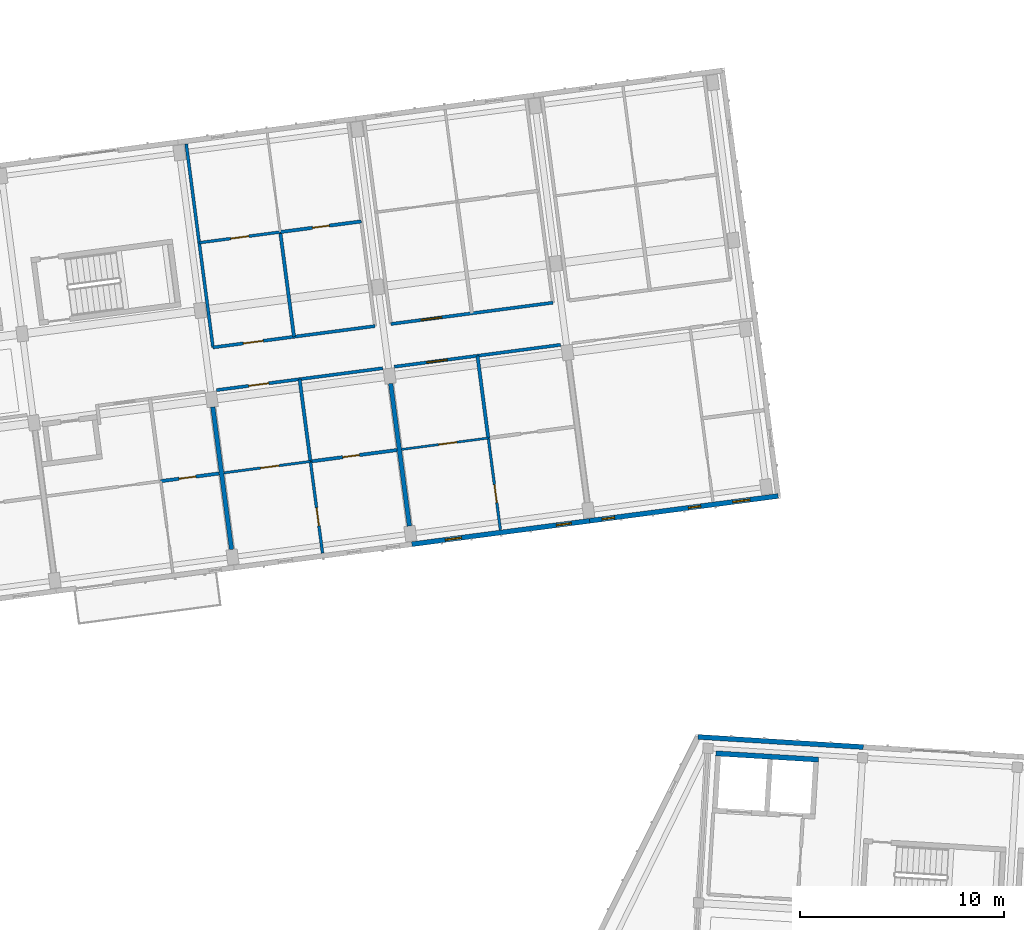
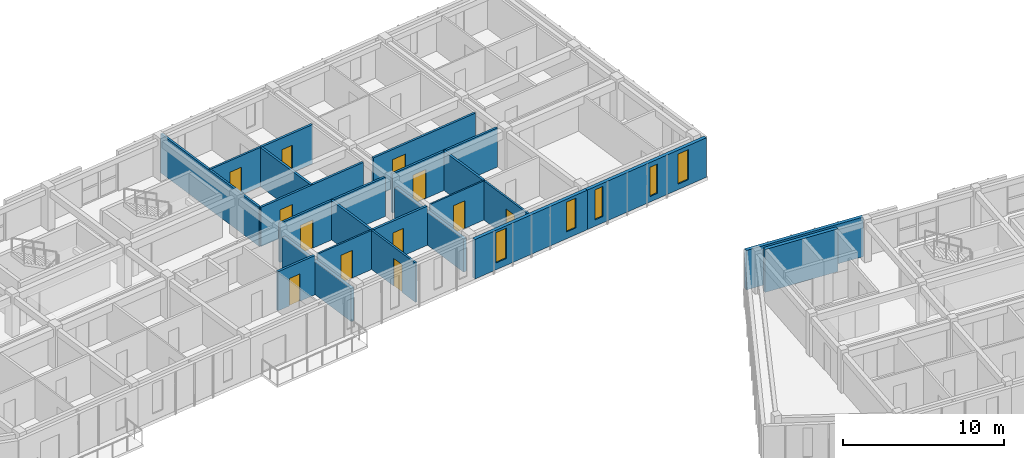
# One storey, part 23 of 66: 22 walls, 12 doors, 5 windows, 17 openings.
"""IFC4 building model written with IfcOpenShell, lengths in metres."""

import ifcopenshell
import ifcopenshell.guid

model = None  # the IFC model being written
_history = None  # IfcOwnerHistory: only IFC2X3 demands one
_inside = {}  # id of a spatial element -> (the spatial element, [elements in it])
_under = {}  # id of a project, library or spatial element -> (it, [spatial elements below it])
_declared = {}  # id of a project -> (the project, [libraries it declares])
_typed = {}  # id of a type object -> (the type object, [elements of that type])
_made_of = {}  # id of a material, layer set ... -> (it, [elements and type objects made of it])


def new_model(schema):
    """Start an empty IFC model of exactly this schema.

    Asked for "IFC4X3", IfcOpenShell would pick the latest addendum, in which some entities
    have other attributes; the version numbers below select the first issue.
    IFC2X3 requires an IfcOwnerHistory on every rooted entity: one is made here for all.
    """
    global model, _history
    if schema == "IFC4X3":
        model = ifcopenshell.file(schema_version=(4, 3, 0, 0))
    else:
        model = ifcopenshell.file(schema=schema)
    _inside.clear()
    _under.clear()
    _declared.clear()
    _typed.clear()
    _made_of.clear()
    _history = None
    if model.schema == "IFC2X3":
        org = make("IfcOrganization", Name="unknown")
        user = make(
            "IfcPersonAndOrganization",
            ThePerson=make("IfcPerson", FamilyName="unknown"),
            TheOrganization=org,
        )
        app = make(
            "IfcApplication",
            ApplicationDeveloper=org,
            Version="unknown",
            ApplicationFullName="unknown",
            ApplicationIdentifier="unknown",
        )
        _history = make(
            "IfcOwnerHistory",
            OwningUser=user,
            OwningApplication=app,
            ChangeAction="ADDED",
            CreationDate=0,
        )
    return model


def make(cls, **values):
    """One entity of the class cls with the attributes given. An attribute that is None is left unset."""
    return model.create_entity(
        cls, **{name: value for name, value in values.items() if value is not None}
    )


def rooted(cls, **values):
    """An entity with a GlobalId (a new one), such as an element, a storey or a relation."""
    return make(cls, GlobalId=ifcopenshell.guid.new(), OwnerHistory=_history, **values)


def si_unit(unit_type, name, prefix=None):
    """IfcSIUnit, for example si_unit("LENGTHUNIT", "METRE", prefix="MILLI")."""
    return make("IfcSIUnit", UnitType=unit_type, Prefix=prefix, Name=name)


def assignment(units):
    """IfcUnitAssignment: the units of a project."""
    return None if units is None else make("IfcUnitAssignment", Units=units)


def point(xyz):
    """IfcCartesianPoint."""
    return None if xyz is None else make("IfcCartesianPoint", Coordinates=xyz)


def direction(xyz):
    """IfcDirection."""
    return None if xyz is None else make("IfcDirection", DirectionRatios=xyz)


def frame(location, z_axis=None, x_axis=None):
    """IfcAxis2Placement3D, a coordinate frame: its origin and axes. An axis left out is left unset."""
    return make(
        "IfcAxis2Placement3D",
        Location=point(location),
        Axis=direction(z_axis),
        RefDirection=direction(x_axis),
    )


def frame_2d(location, x_axis=None):
    """IfcAxis2Placement2D, a coordinate frame in the plane: its origin and x axis."""
    return make(
        "IfcAxis2Placement2D", Location=point(location), RefDirection=direction(x_axis)
    )


def origin():
    """The frame at (0, 0, 0) with its axes left unset."""
    return frame((0.0, 0.0, 0.0))


def place(relative_to, where):
    """IfcLocalPlacement: puts the frame where relative to a parent placement (None: the world)."""
    return make(
        "IfcLocalPlacement", PlacementRelTo=relative_to, RelativePlacement=where
    )


def context(
    kind, dimensions, precision=None, world=None, true_north=None, identifier=None
):
    """IfcGeometricRepresentationContext, for example the 3D "Model" context."""
    return make(
        "IfcGeometricRepresentationContext",
        ContextIdentifier=identifier,
        ContextType=kind,
        CoordinateSpaceDimension=dimensions,
        Precision=precision,
        WorldCoordinateSystem=world,
        TrueNorth=true_north,
    )


def subcontext(parent, identifier, kind, view, scale=None):
    """IfcGeometricRepresentationSubContext, for example "Body" below "Model"."""
    return make(
        "IfcGeometricRepresentationSubContext",
        ContextIdentifier=identifier,
        ContextType=kind,
        ParentContext=parent,
        TargetScale=scale,
        TargetView=view,
    )


def project(units=None, contexts=None):
    """IfcProject with its units and contexts."""
    return rooted(
        "IfcProject",
        Name="project",
        RepresentationContexts=contexts,
        UnitsInContext=assignment(units),
    )


def spatial(cls, under=None, at=None, **own):
    """A site, building, storey or space (cls), placed at a placement, below another one or the project."""
    s = rooted(cls, ObjectPlacement=at, **own)
    if under is not None:
        _under.setdefault(under.id(), (under, []))[1].append(s)
    return s


def profile(cls, at=None, kind="AREA", **sizes):
    """A parametric profile (cls). Its sizes go by their IFC names, for example OverallWidth=200.0."""
    return make(cls, ProfileType=kind, Position=at, **sizes)


def rectangle(**sizes):
    """IfcRectangleProfileDef."""
    return profile("IfcRectangleProfileDef", **sizes)


def extrude(swept, where, along, depth):
    """IfcExtrudedAreaSolid: the profile swept, set in the frame where, extruded along a direction by depth."""
    return make(
        "IfcExtrudedAreaSolid",
        SweptArea=swept,
        Position=where,
        ExtrudedDirection=direction(along),
        Depth=depth,
    )


def shape(context_of_items, identifier, shape_type, items):
    """IfcShapeRepresentation: the items that make up one representation, for example the "Body"."""
    return make(
        "IfcShapeRepresentation",
        ContextOfItems=context_of_items,
        RepresentationIdentifier=identifier,
        RepresentationType=shape_type,
        Items=items,
    )


def material(Name=None, Category=None):
    """IfcMaterial."""
    return make("IfcMaterial", Name=Name, Category=Category)


def layer(
    of_material, thickness, ventilated=None, Name=None, Category=None, Priority=None
):
    """IfcMaterialLayer: one layer of a wall or slab, of a material (None: an air gap)."""
    return make(
        "IfcMaterialLayer",
        Material=of_material,
        LayerThickness=thickness,
        IsVentilated=ventilated,
        Name=Name,
        Category=Category,
        Priority=Priority,
    )


def layer_set(layers, Name=None):
    """IfcMaterialLayerSet."""
    return make("IfcMaterialLayerSet", MaterialLayers=layers, LayerSetName=Name)


def made_of(thing, what):
    """Note that an element or type object is made of a material, layer set ...; save() writes the relation."""
    if what is not None:
        _made_of.setdefault(what.id(), (what, []))[1].append(thing)
    return thing


def type_object(cls, material=None, **own):
    """A type object (cls), such as IfcWallType, which elements share."""
    return made_of(rooted(cls, **own), material)


def element(
    cls,
    number,
    at=None,
    inside=None,
    cuts=None,
    type_object=None,
    material=None,
    context=None,
    identifier="Body",
    shape_type=None,
    held_by="IfcProductDefinitionShape",
    body=None,
    shapes=None,
    **own,
):
    """One element of the class cls, such as IfcWall. Its Tag is "e" and its number.

    at: its placement. inside: the storey or other place that contains it. cuts: it is an
    opening in that element (IfcRelVoidsElement). A single representation is given by context,
    identifier, shape_type and body (its items); several are given by shapes. held_by: the class
    of the entity that holds the representations. save() writes the other relations.
    """
    e = rooted(cls, Tag="e%d" % number, ObjectPlacement=at, **own)
    if body is not None:
        shapes = [shape(context, identifier, shape_type, body)]
    if shapes is not None:
        e.Representation = make(held_by, Representations=shapes)
    if inside is not None:
        _inside.setdefault(inside.id(), (inside, []))[1].append(e)
    if cuts is not None:
        rooted(
            "IfcRelVoidsElement", RelatingBuildingElement=cuts, RelatedOpeningElement=e
        )
    if type_object is not None:
        _typed.setdefault(type_object.id(), (type_object, []))[1].append(e)
    return made_of(e, material)


def fill(opening, filler):
    """IfcRelFillsElement: the door or window that sits in an opening."""
    return rooted(
        "IfcRelFillsElement",
        RelatingOpeningElement=opening,
        RelatedBuildingElement=filler,
    )


def aggregate(whole, parts):
    """IfcRelAggregates: a whole, such as a stair, and the parts it consists of."""
    return rooted("IfcRelAggregates", RelatingObject=whole, RelatedObjects=parts)


def save(model, path):
    """Write the relations noted so far, then the file.

    IfcRelAggregates (storeys below a building ...), IfcRelContainedInSpatialStructure (elements
    in a storey), IfcRelDefinesByType, IfcRelAssociatesMaterial and IfcRelDeclares: one each for
    every whole, place, type object, material and project.
    """
    for whole, parts in _under.values():
        aggregate(whole, parts)
    for where, things in _inside.values():
        rooted(
            "IfcRelContainedInSpatialStructure",
            RelatedElements=things,
            RelatingStructure=where,
        )
    for kind, things in _typed.values():
        rooted("IfcRelDefinesByType", RelatedObjects=things, RelatingType=kind)
    for what, things in _made_of.values():
        rooted("IfcRelAssociatesMaterial", RelatedObjects=things, RelatingMaterial=what)
    for by, libraries in _declared.values():
        rooted("IfcRelDeclares", RelatingContext=by, RelatedDefinitions=libraries)
    model.write(path)


model = new_model("IFC4")

# Units and contexts
model_context = context("Model", 3, precision=1e-05, world=origin(), true_north=direction((0.0, 1.0)))
body_context = subcontext(model_context, "Body", "Model", "MODEL_VIEW")
ifc_project = project(units=[si_unit("LENGTHUNIT", "METRE"), si_unit("AREAUNIT", "SQUARE_METRE"), si_unit("VOLUMEUNIT", "CUBIC_METRE"), si_unit("PLANEANGLEUNIT", "RADIAN"), si_unit("MASSUNIT", "GRAM", prefix="KILO")], contexts=[model_context])

# Site, building, storey
site_placement = place(None, origin())
site = spatial("IfcSite", under=ifc_project, at=site_placement, CompositionType="ELEMENT")
building_placement = place(site_placement, origin())
building = spatial("IfcBuilding", under=site, at=building_placement, Name="Kestramere Prow Commons", CompositionType="ELEMENT")
storey_placement = place(building_placement, frame((0.0, 0.0, 14.89990234375)))
storey = spatial("IfcBuildingStorey", under=building, at=storey_placement, Name="L04", CompositionType="ELEMENT", Elevation=14.89990234375)

# Wall, openings, windows
ifc_material_1 = material(Name="Fluoropolymer Standing-Seam Zinc-Aluminium Cladding", Category="aluminium")
ifc_layer_1 = layer(ifc_material_1, 0.239990234375)
ifc_layer_set_1 = layer_set([ifc_layer_1], Name="Fluoropolymer Standing-Seam Zinc-Aluminium Cladding")
wall_type_1 = type_object("IfcWallType", Name="EW-SEAM-240", PredefinedType="SOLIDWALL", material=ifc_layer_set_1)
wall_1_placement = place(storey_placement, frame((54.89208984375, 77.22265625, 0.0), z_axis=(0.0, 0.0, 1.0), x_axis=(-0.991443905089, -0.130533455715, 0.0)))
wall_1 = element("IfcWall", 1, at=wall_1_placement, inside=storey, type_object=wall_type_1, Name="Block A L04 South Standing-Seam Wall 5", PredefinedType="SOLIDWALL", context=body_context, shape_type="SweptSolid", body=[
    extrude(rectangle(XDim=8.7998046875, YDim=0.239990234375, at=frame_2d((4.39990234375, 0.0))), origin(), (0.0, 0.0, 1.0), 3.0),
])
opening_1_placement = place(wall_1_placement, frame((0.90380859375, 0.0, 0.52001953125)))
opening_1 = element("IfcOpeningElement", 2, at=opening_1_placement, cuts=wall_1, Name="Opening WN-09", PredefinedType="OPENING", context=body_context, shape_type="SweptSolid", body=[
    extrude(rectangle(XDim=0.739990234375, YDim=2.260009765625, at=frame_2d((0.3701171875, 1.1298828125))), frame((0.0, 0.135009765625, 0.0), z_axis=(0.0, -1.0, 0.0), x_axis=(1.0, 0.0, 0.0)), (0.0, 0.0, 1.0), 0.27001953125),
])
opening_2_placement = place(wall_1_placement, frame((6.344482421875, 0.0, 0.52001953125)))
opening_2 = element("IfcOpeningElement", 3, at=opening_2_placement, cuts=wall_1, Name="Opening WN-12", PredefinedType="OPENING", context=body_context, shape_type="SweptSolid", body=[
    extrude(rectangle(XDim=0.800048828125, YDim=2.300048828125, at=frame_2d((0.39990234375, 1.14990234375))), frame((0.0, 0.135009765625, 0.0), z_axis=(0.0, -1.0, 0.0), x_axis=(1.0, 0.0, 0.0)), (0.0, 0.0, 1.0), 0.27001953125),
])
ifc_material_2 = material(Name="Low-E Laminated Double Glazing", Category="glass")
window_type_1 = type_object("IfcWindowType", Name="WN-NAR-740A", PartitioningType="SINGLE_PANEL", PredefinedType="WINDOW", material=ifc_material_2)
window_1_placement = place(opening_1_placement, origin())
window_1 = element("IfcWindow", 4, at=window_1_placement, inside=storey, type_object=window_type_1, Name="WN-A-L04-S-4-00", OverallHeight=2.260009765625, OverallWidth=0.739990234375, PartitioningType="SINGLE_PANEL", PredefinedType="WINDOW", context=body_context, shape_type="SweptSolid", body=[
    extrude(rectangle(XDim=0.739990234375, YDim=2.260009765625, at=frame_2d((0.3701171875, 1.1298828125))), frame((0.0, 0.030029296875, 0.0), z_axis=(0.0, -1.0, 0.0), x_axis=(1.0, 0.0, 0.0)), (0.0, 0.0, 1.0), 0.06005859375),
])
fill(opening_1, window_1)
window_type_2 = type_object("IfcWindowType", Name="WN-NAR-800A", PartitioningType="SINGLE_PANEL", PredefinedType="WINDOW", material=ifc_material_2)
window_2_placement = place(opening_2_placement, origin())
window_2 = element("IfcWindow", 5, at=window_2_placement, inside=storey, type_object=window_type_2, Name="WN-A-L04-S-4-10", OverallHeight=2.300048828125, OverallWidth=0.800048828125, PartitioningType="SINGLE_PANEL", PredefinedType="WINDOW", context=body_context, shape_type="SweptSolid", body=[
    extrude(rectangle(XDim=0.800048828125, YDim=2.300048828125, at=frame_2d((0.39990234375, 1.14990234375))), frame((0.0, 0.030029296875, 0.0), z_axis=(0.0, -1.0, 0.0), x_axis=(1.0, 0.0, 0.0)), (0.0, 0.0, 1.0), 0.06005859375),
])
fill(opening_2, window_2)

wall_2_placement = place(storey_placement, frame((64.13720703125, 78.439697265625, 0.0), z_axis=(0.0, 0.0, 1.0), x_axis=(-0.991446273426, -0.130515466173, 0.0)))
wall_2 = element("IfcWall", 6, at=wall_2_placement, inside=storey, type_object=wall_type_1, Name="Block A L04 South Standing-Seam Wall 6", PredefinedType="SOLIDWALL", context=body_context, shape_type="SweptSolid", body=[
    extrude(rectangle(XDim=9.324951171875, YDim=0.239990234375, at=frame_2d((4.66259765625, 0.0))), origin(), (0.0, 0.0, 1.0), 3.0),
])
opening_3_placement = place(wall_2_placement, frame((1.394287109375, 0.0, 0.419921875)))
opening_3 = element("IfcOpeningElement", 7, at=opening_3_placement, cuts=wall_2, Name="Opening WN-14", PredefinedType="OPENING", context=body_context, shape_type="SweptSolid", body=[
    extrude(rectangle(XDim=0.840087890625, YDim=2.280029296875, at=frame_2d((0.419921875, 1.14013671875))), frame((0.0, 0.135009765625, 0.0), z_axis=(0.0, -1.0, 0.0), x_axis=(1.0, 0.0, 0.0)), (0.0, 0.0, 1.0), 0.27001953125),
])
opening_4_placement = place(wall_2_placement, frame((3.8349609375, 0.0, 0.419921875)))
opening_4 = element("IfcOpeningElement", 8, at=opening_4_placement, cuts=wall_2, Name="Opening WN-02", PredefinedType="OPENING", context=body_context, shape_type="SweptSolid", body=[
    extrude(rectangle(XDim=0.60009765625, YDim=2.219970703125, at=frame_2d((0.300048828125, 1.10986328125))), frame((0.0, 0.135009765625, 0.0), z_axis=(0.0, -1.0, 0.0), x_axis=(1.0, 0.0, 0.0)), (0.0, 0.0, 1.0), 0.27001953125),
])
opening_5_placement = place(wall_2_placement, frame((8.094970703125, 0.0, 0.47998046875)))
opening_5 = element("IfcOpeningElement", 9, at=opening_5_placement, cuts=wall_2, Name="Opening WN-03", PredefinedType="OPENING", context=body_context, shape_type="SweptSolid", body=[
    extrude(rectangle(XDim=0.6201171875, YDim=2.280029296875, at=frame_2d((0.31005859375, 1.14013671875))), frame((0.0, 0.135009765625, 0.0), z_axis=(0.0, -1.0, 0.0), x_axis=(1.0, 0.0, 0.0)), (0.0, 0.0, 1.0), 0.27001953125),
])
window_type_3 = type_object("IfcWindowType", Name="WN-NAR-600A", PartitioningType="SINGLE_PANEL", PredefinedType="WINDOW", material=ifc_material_2)
window_3_placement = place(opening_4_placement, origin())
window_3 = element("IfcWindow", 10, at=window_3_placement, inside=storey, type_object=window_type_3, Name="WN-A-L04-S-5-10", OverallHeight=2.219970703125, OverallWidth=0.60009765625, PartitioningType="SINGLE_PANEL", PredefinedType="WINDOW", context=body_context, shape_type="SweptSolid", body=[
    extrude(rectangle(XDim=0.60009765625, YDim=2.219970703125, at=frame_2d((0.300048828125, 1.10986328125))), frame((0.0, 0.030029296875, 0.0), z_axis=(0.0, -1.0, 0.0), x_axis=(1.0, 0.0, 0.0)), (0.0, 0.0, 1.0), 0.06005859375),
])
fill(opening_4, window_3)
window_type_4 = type_object("IfcWindowType", Name="WN-NAR-620A", PartitioningType="SINGLE_PANEL", PredefinedType="WINDOW", material=ifc_material_2)
window_4_placement = place(opening_5_placement, origin())
window_4 = element("IfcWindow", 11, at=window_4_placement, inside=storey, type_object=window_type_4, Name="WN-A-L04-S-5-11", OverallHeight=2.280029296875, OverallWidth=0.6201171875, PartitioningType="SINGLE_PANEL", PredefinedType="WINDOW", context=body_context, shape_type="SweptSolid", body=[
    extrude(rectangle(XDim=0.6201171875, YDim=2.280029296875, at=frame_2d((0.31005859375, 1.14013671875))), frame((0.0, 0.030029296875, 0.0), z_axis=(0.0, -1.0, 0.0), x_axis=(1.0, 0.0, 0.0)), (0.0, 0.0, 1.0), 0.06005859375),
])
fill(opening_5, window_4)
window_type_5 = type_object("IfcWindowType", Name="WN-NAR-840A", PartitioningType="DOUBLE_PANEL_VERTICAL", PredefinedType="WINDOW", material=ifc_material_2)
window_5_placement = place(opening_3_placement, origin())
window_5 = element("IfcWindow", 12, at=window_5_placement, inside=storey, type_object=window_type_5, Name="WN-A-L04-S-5-00", OverallHeight=2.280029296875, OverallWidth=0.840087890625, PartitioningType="SINGLE_PANEL", PredefinedType="WINDOW", context=body_context, shape_type="SweptSolid", body=[
    extrude(rectangle(XDim=0.840087890625, YDim=2.280029296875, at=frame_2d((0.419921875, 1.14013671875))), frame((0.0, 0.030029296875, 0.0), z_axis=(0.0, -1.0, 0.0), x_axis=(1.0, 0.0, 0.0)), (0.0, 0.0, 1.0), 0.06005859375),
])
fill(opening_3, window_5)

# Walls
wall_3_placement = place(storey_placement, frame((60.20458984375, 66.61962890625, 0.0), z_axis=(0.0, 0.0, 1.0), x_axis=(0.998134248939, -0.061057522844, 0.0)))
element("IfcWall", 13, at=wall_3_placement, inside=storey, type_object=wall_type_1, Name="Block C L04 North Standing-Seam Wall 1", PredefinedType="SOLIDWALL", context=body_context, shape_type="SweptSolid", body=[
    extrude(rectangle(XDim=8.125, YDim=0.239990234375, at=frame_2d((4.0625, 0.0))), origin(), (0.0, 0.0, 1.0), 3.0),
])
ifc_material_3 = material(Name="Concrete C40/50", Category="concrete")
ifc_layer_2 = layer(ifc_material_3, 0.25)
ifc_layer_set_2 = layer_set([ifc_layer_2], Name="Concrete C40/50")
wall_type_2 = type_object("IfcWallType", Name="W-CORE-250", PredefinedType="SHEAR", material=ifc_layer_set_2)
wall_4_placement = place(storey_placement, frame((61.08203125, 65.814453125, 0.0), z_axis=(0.0, 0.0, 1.0), x_axis=(0.998134101522, -0.061059932685, 0.0)))
element("IfcWall", 14, at=wall_4_placement, inside=storey, type_object=wall_type_2, Name="Block C L04 Lift Core Back Wall", PredefinedType="SHEAR", context=body_context, shape_type="SweptSolid", body=[
    extrude(rectangle(XDim=5.050048828125, YDim=0.25, at=frame_2d((2.52490234375, 0.0))), origin(), (0.0, 0.0, 1.0), 3.25),
])

# Wall, opening, door
ifc_material_4 = material(Name="Fire-Rated Calcium Silicate Wall")
ifc_layer_3 = layer(ifc_material_4, 0.155029296875)
ifc_layer_set_3 = layer_set([ifc_layer_3], Name="Fire-Rated Calcium Silicate Wall")
wall_type_3 = type_object("IfcWallType", Name="W-FIRE-150", PredefinedType="PARTITIONING", material=ifc_layer_set_3)
wall_5_placement = place(storey_placement, frame((36.583740234375, 83.6328125, 0.0), z_axis=(0.0, 0.0, 1.0), x_axis=(0.991445206002, 0.130523574484, 0.0)))
wall_5 = element("IfcWall", 15, at=wall_5_placement, inside=storey, type_object=wall_type_3, Name="Interior Partition PW-A-L04-CS-3", PredefinedType="PARTITIONING", context=body_context, shape_type="SweptSolid", body=[
    extrude(rectangle(XDim=8.22998046875, YDim=0.155029296875, at=frame_2d((4.114990234375, 0.0))), origin(), (0.0, 0.0, 1.0), 2.97021484375),
])
opening_6_placement = place(wall_5_placement, frame((1.60498046875, 0.0, 0.0)))
opening_6 = element("IfcOpeningElement", 16, at=opening_6_placement, cuts=wall_5, Name="Opening ID-04", PredefinedType="OPENING", context=body_context, shape_type="SweptSolid", body=[
    extrude(rectangle(XDim=0.97998046875, YDim=2.14990234375, at=frame_2d((0.489990234375, 1.074951171875))), frame((0.0, 0.092529296875, 0.0), z_axis=(0.0, -1.0, 0.0), x_axis=(1.0, 0.0, 0.0)), (0.0, 0.0, 1.0), 0.18505859375),
])
ifc_material_5 = material(Name="Hardwood Fire-Rated Flat Entrance Door", Category="wood")
door_type_1 = type_object("IfcDoorType", Name="FD-ENT-01", OperationType="NOTDEFINED", PredefinedType="DOOR", material=ifc_material_5)
door_1_placement = place(opening_6_placement, origin())
door_1 = element("IfcDoor", 17, at=door_1_placement, inside=storey, type_object=door_type_1, Name="Interior Door DR-A-L04-ENT-S3", OperationType="SINGLE_SWING_RIGHT", OverallHeight=2.14990234375, OverallWidth=0.97998046875, PredefinedType="DOOR", context=body_context, shape_type="SweptSolid", body=[
    extrude(rectangle(XDim=0.97998046875, YDim=2.14990234375, at=frame_2d((0.489990234375, 1.074951171875))), frame((0.0, 0.02490234375, 0.0), z_axis=(0.0, -1.0, 0.0), x_axis=(1.0, 0.0, 0.0)), (0.0, 0.0, 1.0), 0.050048828125),
])
fill(opening_6, door_1)

wall_6_placement = place(storey_placement, frame((45.30859375, 84.781494140625, 0.0), z_axis=(0.0, 0.0, 1.0), x_axis=(0.991444700604, 0.130527413383, 0.0)))
wall_6 = element("IfcWall", 18, at=wall_6_placement, inside=storey, type_object=wall_type_3, Name="Interior Partition PW-A-L04-CS-4", PredefinedType="PARTITIONING", context=body_context, shape_type="SweptSolid", body=[
    extrude(rectangle(XDim=8.229736328125, YDim=0.155029296875, at=frame_2d((4.11474609375, 0.0))), origin(), (0.0, 0.0, 1.0), 2.97021484375),
])
opening_7_placement = place(wall_6_placement, frame((1.60498046875, 0.0, 0.0)))
opening_7 = element("IfcOpeningElement", 19, at=opening_7_placement, cuts=wall_6, Name="Opening ID-05", PredefinedType="OPENING", context=body_context, shape_type="SweptSolid", body=[
    extrude(rectangle(XDim=1.02001953125, YDim=2.199951171875, at=frame_2d((0.510009765625, 1.10009765625))), frame((0.0, 0.092529296875, 0.0), z_axis=(0.0, -1.0, 0.0), x_axis=(1.0, 0.0, 0.0)), (0.0, 0.0, 1.0), 0.18505859375),
])
door_type_2 = type_object("IfcDoorType", Name="FD-ENT-02", OperationType="NOTDEFINED", PredefinedType="DOOR", material=ifc_material_5)
door_2_placement = place(opening_7_placement, origin())
door_2 = element("IfcDoor", 20, at=door_2_placement, inside=storey, type_object=door_type_2, Name="Interior Door DR-A-L04-ENT-S4", OperationType="SINGLE_SWING_LEFT", OverallHeight=2.199951171875, OverallWidth=1.02001953125, PredefinedType="DOOR", context=body_context, shape_type="SweptSolid", body=[
    extrude(rectangle(XDim=1.02001953125, YDim=2.199951171875, at=frame_2d((0.510009765625, 1.10009765625))), frame((0.0, 0.02490234375, 0.0), z_axis=(0.0, -1.0, 0.0), x_axis=(1.0, 0.0, 0.0)), (0.0, 0.0, 1.0), 0.050048828125),
])
fill(opening_7, door_2)

wall_7_placement = place(storey_placement, frame((36.413818359375, 85.728515625, 0.0), z_axis=(0.0, 0.0, 1.0), x_axis=(0.991444034844, 0.130532470184, 0.0)))
wall_7 = element("IfcWall", 21, at=wall_7_placement, inside=storey, type_object=wall_type_3, Name="Interior Partition PW-A-L04-CN-3", PredefinedType="PARTITIONING", context=body_context, shape_type="SweptSolid", body=[
    extrude(rectangle(XDim=8.02001953125, YDim=0.155029296875, at=frame_2d((4.010009765625, 0.0))), origin(), (0.0, 0.0, 1.0), 2.97021484375),
])
opening_8_placement = place(wall_7_placement, frame((1.5048828125, 0.0, 0.0)))
opening_8 = element("IfcOpeningElement", 22, at=opening_8_placement, cuts=wall_7, Name="Opening ID-04", PredefinedType="OPENING", context=body_context, shape_type="SweptSolid", body=[
    extrude(rectangle(XDim=0.97998046875, YDim=2.14990234375, at=frame_2d((0.489990234375, 1.074951171875))), frame((0.0, 0.092529296875, 0.0), z_axis=(0.0, -1.0, 0.0), x_axis=(1.0, 0.0, 0.0)), (0.0, 0.0, 1.0), 0.18505859375),
])
door_3_placement = place(opening_8_placement, origin())
door_3 = element("IfcDoor", 23, at=door_3_placement, inside=storey, type_object=door_type_1, Name="Interior Door DR-A-L04-ENT-N3", OperationType="SINGLE_SWING_RIGHT", OverallHeight=2.14990234375, OverallWidth=0.97998046875, PredefinedType="DOOR", context=body_context, shape_type="SweptSolid", body=[
    extrude(rectangle(XDim=0.97998046875, YDim=2.14990234375, at=frame_2d((0.489990234375, 1.074951171875))), frame((0.0, 0.02490234375, 0.0), z_axis=(0.0, -1.0, 0.0), x_axis=(1.0, 0.0, 0.0)), (0.0, 0.0, 1.0), 0.050048828125),
])
fill(opening_8, door_3)

wall_8_placement = place(storey_placement, frame((45.138427734375, 86.877197265625, 0.0), z_axis=(0.0, 0.0, 1.0), x_axis=(0.991444034844, 0.130532470184, 0.0)))
wall_8 = element("IfcWall", 24, at=wall_8_placement, inside=storey, type_object=wall_type_3, Name="Interior Partition PW-A-L04-CN-4", PredefinedType="PARTITIONING", context=body_context, shape_type="SweptSolid", body=[
    extrude(rectangle(XDim=8.02001953125, YDim=0.155029296875, at=frame_2d((4.010009765625, 0.0))), origin(), (0.0, 0.0, 1.0), 2.97021484375),
])
opening_9_placement = place(wall_8_placement, frame((1.5048828125, 0.0, 0.0)))
opening_9 = element("IfcOpeningElement", 25, at=opening_9_placement, cuts=wall_8, Name="Opening ID-05", PredefinedType="OPENING", context=body_context, shape_type="SweptSolid", body=[
    extrude(rectangle(XDim=1.02001953125, YDim=2.199951171875, at=frame_2d((0.510009765625, 1.10009765625))), frame((0.0, 0.092529296875, 0.0), z_axis=(0.0, -1.0, 0.0), x_axis=(1.0, 0.0, 0.0)), (0.0, 0.0, 1.0), 0.18505859375),
])
door_4_placement = place(opening_9_placement, origin())
door_4 = element("IfcDoor", 26, at=door_4_placement, inside=storey, type_object=door_type_2, Name="Interior Door DR-A-L04-ENT-N4", OperationType="SINGLE_SWING_LEFT", OverallHeight=2.199951171875, OverallWidth=1.02001953125, PredefinedType="DOOR", context=body_context, shape_type="SweptSolid", body=[
    extrude(rectangle(XDim=1.02001953125, YDim=2.199951171875, at=frame_2d((0.510009765625, 1.10009765625))), frame((0.0, 0.02490234375, 0.0), z_axis=(0.0, -1.0, 0.0), x_axis=(1.0, 0.0, 0.0)), (0.0, 0.0, 1.0), 0.050048828125),
])
fill(opening_9, door_4)

ifc_material_6 = material(Name="Gypsum Acoustic Drywall")
ifc_layer_4 = layer(ifc_material_6, 0.110107421875)
ifc_layer_set_4 = layer_set([ifc_layer_4], Name="Gypsum Acoustic Drywall")
wall_type_4 = type_object("IfcWallType", Name="W-PART-110", PredefinedType="PARTITIONING", material=ifc_layer_set_4)
wall_9_placement = place(storey_placement, frame((45.671142578125, 80.72412109375, 0.0), z_axis=(0.0, 0.0, 1.0), x_axis=(0.991444014242, 0.130532626667, 0.0)))
wall_9 = element("IfcWall", 27, at=wall_9_placement, inside=storey, type_object=wall_type_4, Name="Interior Partition PW-A-L04-MIDS1-4", PredefinedType="PARTITIONING", context=body_context, shape_type="SweptSolid", body=[
    extrude(rectangle(XDim=4.284912109375, YDim=0.110107421875, at=frame_2d((2.142578125, 0.0))), origin(), (0.0, 0.0, 1.0), 2.97021484375),
])
opening_10_placement = place(wall_9_placement, frame((1.824951171875, 0.0, 0.0)))
opening_10 = element("IfcOpeningElement", 28, at=opening_10_placement, cuts=wall_9, Name="Opening ID-08", PredefinedType="OPENING", context=body_context, shape_type="SweptSolid", body=[
    extrude(rectangle(XDim=0.89990234375, YDim=2.10009765625, at=frame_2d((0.449951171875, 1.050048828125))), frame((0.0, 0.070068359375, 0.0), z_axis=(0.0, -1.0, 0.0), x_axis=(1.0, 0.0, 0.0)), (0.0, 0.0, 1.0), 0.14013671875),
])
ifc_material_7 = material(Name="Engineered Timber Flush Door", Category="wood")
door_type_3 = type_object("IfcDoorType", Name="D-RM-01", OperationType="NOTDEFINED", PredefinedType="DOOR", material=ifc_material_7)
door_5_placement = place(opening_10_placement, origin())
door_5 = element("IfcDoor", 29, at=door_5_placement, inside=storey, type_object=door_type_3, Name="Interior Door DR-A-L04-KL-S4", OperationType="SINGLE_SWING_RIGHT", OverallHeight=2.10009765625, OverallWidth=0.89990234375, PredefinedType="DOOR", context=body_context, shape_type="SweptSolid", body=[
    extrude(rectangle(XDim=0.89990234375, YDim=2.10009765625, at=frame_2d((0.449951171875, 1.050048828125))), frame((0.0, 0.02490234375, 0.0), z_axis=(0.0, -1.0, 0.0), x_axis=(1.0, 0.0, 0.0)), (0.0, 0.0, 1.0), 0.050048828125),
])
fill(opening_10, door_5)

ifc_material_8 = material(Name="Lightweight Blockwork and Plaster", Category="masonry")
ifc_layer_5 = layer(ifc_material_8, 0.1201171875)
ifc_layer_set_5 = layer_set([ifc_layer_5], Name="Lightweight Blockwork and Plaster")
wall_type_5 = type_object("IfcWallType", Name="W-PART-120", PredefinedType="PARTITIONING", material=ifc_layer_set_5)
wall_10_placement = place(storey_placement, frame((36.946533203125, 79.575439453125, 0.0), z_axis=(0.0, 0.0, 1.0), x_axis=(0.991444014242, 0.130532626667, 0.0)))
wall_10 = element("IfcWall", 30, at=wall_10_placement, inside=storey, type_object=wall_type_5, Name="Interior Partition PW-A-L04-MIDS1-3", PredefinedType="PARTITIONING", context=body_context, shape_type="SweptSolid", body=[
    extrude(rectangle(XDim=4.284912109375, YDim=0.1201171875, at=frame_2d((2.142578125, 0.0))), origin(), (0.0, 0.0, 1.0), 2.97021484375),
])
opening_11_placement = place(wall_10_placement, frame((1.824951171875, 0.0, 0.0)))
opening_11 = element("IfcOpeningElement", 31, at=opening_11_placement, cuts=wall_10, Name="Opening ID-08", PredefinedType="OPENING", context=body_context, shape_type="SweptSolid", body=[
    extrude(rectangle(XDim=0.89990234375, YDim=2.10009765625, at=frame_2d((0.449951171875, 1.050048828125))), frame((0.0, 0.074951171875, 0.0), z_axis=(0.0, -1.0, 0.0), x_axis=(1.0, 0.0, 0.0)), (0.0, 0.0, 1.0), 0.150146484375),
])
door_6_placement = place(opening_11_placement, origin())
door_6 = element("IfcDoor", 32, at=door_6_placement, inside=storey, type_object=door_type_3, Name="Interior Door DR-A-L04-KL-S3", OperationType="SINGLE_SWING_RIGHT", OverallHeight=2.10009765625, OverallWidth=0.89990234375, PredefinedType="DOOR", context=body_context, shape_type="SweptSolid", body=[
    extrude(rectangle(XDim=0.89990234375, YDim=2.10009765625, at=frame_2d((0.449951171875, 1.050048828125))), frame((0.0, 0.02490234375, 0.0), z_axis=(0.0, -1.0, 0.0), x_axis=(1.0, 0.0, 0.0)), (0.0, 0.0, 1.0), 0.050048828125),
])
fill(opening_11, door_6)

ifc_layer_6 = layer(ifc_material_8, 0.1298828125)
ifc_layer_set_6 = layer_set([ifc_layer_6], Name="Lightweight Blockwork and Plaster")
wall_type_6 = type_object("IfcWallType", Name="W-PART-130", PredefinedType="PARTITIONING", material=ifc_layer_set_6)
wall_11_placement = place(storey_placement, frame((50.51220703125, 76.7822265625, 0.0), z_axis=(0.0, 0.0, 1.0), x_axis=(-0.130564403497, 0.991439830015, 0.0)))
wall_11 = element("IfcWall", 33, at=wall_11_placement, inside=storey, type_object=wall_type_6, Name="Interior Partition PW-A-L04-LB-S4", PredefinedType="PARTITIONING", context=body_context, shape_type="SweptSolid", body=[
    extrude(rectangle(XDim=4.5400390625, YDim=0.1298828125, at=frame_2d((2.27001953125, 0.0))), origin(), (0.0, 0.0, 1.0), 2.97021484375),
])
opening_12_placement = place(wall_11_placement, frame((1.35009765625, 0.0, 0.0)))
opening_12 = element("IfcOpeningElement", 34, at=opening_12_placement, cuts=wall_11, Name="Opening ID-10", PredefinedType="OPENING", context=body_context, shape_type="SweptSolid", body=[
    extrude(rectangle(XDim=0.8798828125, YDim=2.10009765625, at=frame_2d((0.43994140625, 1.050048828125))), frame((0.0, 0.079833984375, 0.0), z_axis=(0.0, -1.0, 0.0), x_axis=(1.0, 0.0, 0.0)), (0.0, 0.0, 1.0), 0.159912109375),
])
ifc_material_9 = material(Name="Engineered Timber Bedroom Door", Category="wood")
door_type_4 = type_object("IfcDoorType", Name="D-RM-03", OperationType="NOTDEFINED", PredefinedType="DOOR", material=ifc_material_9)
door_7_placement = place(opening_12_placement, origin())
door_7 = element("IfcDoor", 35, at=door_7_placement, inside=storey, type_object=door_type_4, Name="Interior Door DR-A-L04-BED-S4", OperationType="SINGLE_SWING_LEFT", OverallHeight=2.10009765625, OverallWidth=0.8798828125, PredefinedType="DOOR", context=body_context, shape_type="SweptSolid", body=[
    extrude(rectangle(XDim=0.8798828125, YDim=2.10009765625, at=frame_2d((0.43994140625, 1.050048828125))), frame((0.0, 0.02490234375, 0.0), z_axis=(0.0, -1.0, 0.0), x_axis=(1.0, 0.0, 0.0)), (0.0, 0.0, 1.0), 0.050048828125),
])
fill(opening_12, door_7)

ifc_material_10 = material(Name="Masonry Compartment Wall", Category="masonry")
ifc_layer_7 = layer(ifc_material_10, 0.139892578125)
ifc_layer_set_7 = layer_set([ifc_layer_7], Name="Masonry Compartment Wall")
wall_type_7 = type_object("IfcWallType", Name="W-PART-140", PredefinedType="PARTITIONING", material=ifc_layer_set_7)
wall_12_placement = place(storey_placement, frame((41.787353515625, 75.633544921875, 0.0), z_axis=(0.0, 0.0, 1.0), x_axis=(-0.130511545171, 0.991446789584, 0.0)))
wall_12 = element("IfcWall", 36, at=wall_12_placement, inside=storey, type_object=wall_type_7, Name="Interior Partition PW-A-L04-LB-S3", PredefinedType="PARTITIONING", context=body_context, shape_type="SweptSolid", body=[
    extrude(rectangle(XDim=4.5400390625, YDim=0.139892578125, at=frame_2d((2.27001953125, 0.0))), origin(), (0.0, 0.0, 1.0), 2.97021484375),
])
opening_13_placement = place(wall_12_placement, frame((1.35009765625, 0.0, 0.0)))
opening_13 = element("IfcOpeningElement", 37, at=opening_13_placement, cuts=wall_12, Name="Opening ID-08", PredefinedType="OPENING", context=body_context, shape_type="SweptSolid", body=[
    extrude(rectangle(XDim=0.89990234375, YDim=2.10009765625, at=frame_2d((0.449951171875, 1.050048828125))), frame((0.0, 0.0849609375, 0.0), z_axis=(0.0, -1.0, 0.0), x_axis=(1.0, 0.0, 0.0)), (0.0, 0.0, 1.0), 0.169921875),
])
door_8_placement = place(opening_13_placement, origin())
door_8 = element("IfcDoor", 38, at=door_8_placement, inside=storey, type_object=door_type_3, Name="Interior Door DR-A-L04-BED-S3", OperationType="SINGLE_SWING_RIGHT", OverallHeight=2.10009765625, OverallWidth=0.89990234375, PredefinedType="DOOR", context=body_context, shape_type="SweptSolid", body=[
    extrude(rectangle(XDim=0.89990234375, YDim=2.10009765625, at=frame_2d((0.449951171875, 1.050048828125))), frame((0.0, 0.02490234375, 0.0), z_axis=(0.0, -1.0, 0.0), x_axis=(1.0, 0.0, 0.0)), (0.0, 0.0, 1.0), 0.050048828125),
])
fill(opening_13, door_8)

wall_13_placement = place(storey_placement, frame((35.737548828125, 90.8642578125, 0.0), z_axis=(0.0, 0.0, 1.0), x_axis=(0.991444553502, 0.130528530716, 0.0)))
wall_13 = element("IfcWall", 39, at=wall_13_placement, inside=storey, type_object=wall_type_7, Name="Interior Partition PW-A-L04-MIDN1-3", PredefinedType="PARTITIONING", context=body_context, shape_type="SweptSolid", body=[
    extrude(rectangle(XDim=4.01025390625, YDim=0.139892578125, at=frame_2d((2.005126953125, 0.0))), origin(), (0.0, 0.0, 1.0), 2.97021484375),
])
opening_14_placement = place(wall_13_placement, frame((1.554931640625, 0.0, 0.0)))
opening_14 = element("IfcOpeningElement", 40, at=opening_14_placement, cuts=wall_13, Name="Opening ID-08", PredefinedType="OPENING", context=body_context, shape_type="SweptSolid", body=[
    extrude(rectangle(XDim=0.89990234375, YDim=2.10009765625, at=frame_2d((0.449951171875, 1.050048828125))), frame((0.0, 0.0849609375, 0.0), z_axis=(0.0, -1.0, 0.0), x_axis=(1.0, 0.0, 0.0)), (0.0, 0.0, 1.0), 0.169921875),
])
door_9_placement = place(opening_14_placement, origin())
door_9 = element("IfcDoor", 41, at=door_9_placement, inside=storey, type_object=door_type_3, Name="Interior Door DR-A-L04-KL-N3", OperationType="SINGLE_SWING_LEFT", OverallHeight=2.10009765625, OverallWidth=0.89990234375, PredefinedType="DOOR", context=body_context, shape_type="SweptSolid", body=[
    extrude(rectangle(XDim=0.89990234375, YDim=2.10009765625, at=frame_2d((0.449951171875, 1.050048828125))), frame((0.0, 0.02490234375, 0.0), z_axis=(0.0, -1.0, 0.0), x_axis=(1.0, 0.0, 0.0)), (0.0, 0.0, 1.0), 0.050048828125),
])
fill(opening_14, door_9)

# Wall
ifc_layer_8 = layer(ifc_material_10, 0.14990234375)
ifc_layer_set_8 = layer_set([ifc_layer_8], Name="Masonry Compartment Wall")
wall_type_8 = type_object("IfcWallType", Name="W-PART-150", PredefinedType="PARTITIONING", material=ifc_layer_set_8)
wall_14_placement = place(storey_placement, frame((36.413818359375, 85.728515625, 0.0), z_axis=(0.0, 0.0, 1.0), x_axis=(-0.130531024319, 0.991444225204, 0.0)))
element("IfcWall", 42, at=wall_14_placement, inside=storey, type_object=wall_type_8, Name="Interior Partition PW-A-L04-NWL-3", PredefinedType="PARTITIONING", context=body_context, shape_type="SweptSolid", body=[
    extrude(rectangle(XDim=10.070068359375, YDim=0.14990234375, at=frame_2d((5.03515625, 0.0))), origin(), (0.0, 0.0, 1.0), 2.97021484375),
])

# Wall, opening, door
ifc_material_11 = material(Name="Waterproof Sanitary Masonry Wall", Category="masonry")
ifc_layer_9 = layer(ifc_material_11, 0.1650390625)
ifc_layer_set_9 = layer_set([ifc_layer_9], Name="Waterproof Sanitary Masonry Wall")
wall_type_9 = type_object("IfcWallType", Name="W-PLUMB-150", PredefinedType="PLUMBINGWALL", material=ifc_layer_set_9)
wall_15_placement = place(storey_placement, frame((33.853271484375, 79.168212890625, 0.0), z_axis=(0.0, 0.0, 1.0), x_axis=(0.9914456672, 0.130520071219, 0.0)))
wall_15 = element("IfcWall", 43, at=wall_15_placement, inside=storey, type_object=wall_type_9, Name="Interior Partition PW-A-L04-MIDS2-2", PredefinedType="PLUMBINGWALL", context=body_context, shape_type="SweptSolid", body=[
    extrude(rectangle(XDim=2.889892578125, YDim=0.1650390625, at=frame_2d((1.44482421875, 0.0))), origin(), (0.0, 0.0, 1.0), 2.97021484375),
])
opening_15_placement = place(wall_15_placement, frame((0.903076171875, 0.0, 0.0)))
opening_15 = element("IfcOpeningElement", 44, at=opening_15_placement, cuts=wall_15, Name="Opening ID-11", PredefinedType="OPENING", context=body_context, shape_type="SweptSolid", body=[
    extrude(rectangle(XDim=0.820068359375, YDim=2.080078125, at=frame_2d((0.41015625, 1.0400390625))), frame((0.0, 0.097412109375, 0.0), z_axis=(0.0, -1.0, 0.0), x_axis=(1.0, 0.0, 0.0)), (0.0, 0.0, 1.0), 0.195068359375),
])
ifc_material_12 = material(Name="Moisture-Resistant Timber Bathroom Door", Category="wood")
door_type_5 = type_object("IfcDoorType", Name="D-BT-01", OperationType="NOTDEFINED", PredefinedType="DOOR", material=ifc_material_12)
door_10_placement = place(opening_15_placement, origin())
door_10 = element("IfcDoor", 45, at=door_10_placement, inside=storey, type_object=door_type_5, Name="Interior Door DR-A-L04-BTH-S2", OperationType="SINGLE_SWING_LEFT", OverallHeight=2.080078125, OverallWidth=0.820068359375, PredefinedType="DOOR", context=body_context, shape_type="SweptSolid", body=[
    extrude(rectangle(XDim=0.820068359375, YDim=2.080078125, at=frame_2d((0.41015625, 1.0400390625))), frame((0.0, 0.02490234375, 0.0), z_axis=(0.0, -1.0, 0.0), x_axis=(1.0, 0.0, 0.0)), (0.0, 0.0, 1.0), 0.050048828125),
])
fill(opening_15, door_10)

wall_16_placement = place(storey_placement, frame((41.19482421875, 80.134765625, 0.0), z_axis=(0.0, 0.0, 1.0), x_axis=(0.991444014242, 0.130532626667, 0.0)))
wall_16 = element("IfcWall", 46, at=wall_16_placement, inside=storey, type_object=wall_type_9, Name="Interior Partition PW-A-L04-MIDS2-3", PredefinedType="PLUMBINGWALL", context=body_context, shape_type="SweptSolid", body=[
    extrude(rectangle(XDim=4.284912109375, YDim=0.1650390625, at=frame_2d((2.142578125, 0.0))), origin(), (0.0, 0.0, 1.0), 2.97021484375),
])
opening_16_placement = place(wall_16_placement, frame((1.60009765625, 0.0, 0.0)))
opening_16 = element("IfcOpeningElement", 47, at=opening_16_placement, cuts=wall_16, Name="Opening ID-11", PredefinedType="OPENING", context=body_context, shape_type="SweptSolid", body=[
    extrude(rectangle(XDim=0.820068359375, YDim=2.080078125, at=frame_2d((0.41015625, 1.0400390625))), frame((0.0, 0.097412109375, 0.0), z_axis=(0.0, -1.0, 0.0), x_axis=(1.0, 0.0, 0.0)), (0.0, 0.0, 1.0), 0.195068359375),
])
door_11_placement = place(opening_16_placement, origin())
door_11 = element("IfcDoor", 48, at=door_11_placement, inside=storey, type_object=door_type_5, Name="Interior Door DR-A-L04-BTH-S3", OperationType="SINGLE_SWING_LEFT", OverallHeight=2.080078125, OverallWidth=0.820068359375, PredefinedType="DOOR", context=body_context, shape_type="SweptSolid", body=[
    extrude(rectangle(XDim=0.820068359375, YDim=2.080078125, at=frame_2d((0.41015625, 1.0400390625))), frame((0.0, 0.02490234375, 0.0), z_axis=(0.0, -1.0, 0.0), x_axis=(1.0, 0.0, 0.0)), (0.0, 0.0, 1.0), 0.050048828125),
])
fill(opening_16, door_11)

# Walls
for number, where, z_axis, x_axis, name in (
    (49, (41.19482421875, 80.134765625, 0.0), (0.0, 0.0, 1.0), (-0.13052899417, 0.991444492486, 0.0), "Interior Partition PW-A-L04-KB-S3"),
    (50, (49.91943359375, 81.283447265625, 0.0), (0.0, 0.0, 1.0), (-0.13052899417, 0.991444492486, 0.0), "Interior Partition PW-A-L04-KB-S4"),
):
    element("IfcWall", number, at=place(storey_placement, frame(where, z_axis=z_axis, x_axis=x_axis)), inside=storey, type_object=wall_type_9, Name=name, PredefinedType="PLUMBINGWALL", context=body_context, shape_type="SweptSolid", body=[
        extrude(rectangle(XDim=4.070068359375, YDim=0.1650390625, at=frame_2d((2.03515625, 0.0))), origin(), (0.0, 0.0, 1.0), 2.97021484375),
    ])

# Wall, opening, door
wall_17_placement = place(storey_placement, frame((39.71337890625, 91.3876953125, 0.0), z_axis=(0.0, 0.0, 1.0), x_axis=(0.991443516139, 0.130536409887, 0.0)))
wall_17 = element("IfcWall", 51, at=wall_17_placement, inside=storey, type_object=wall_type_9, Name="Interior Partition PW-A-L04-MIDN2-3", PredefinedType="PLUMBINGWALL", context=body_context, shape_type="SweptSolid", body=[
    extrude(rectangle(XDim=4.010009765625, YDim=0.1650390625, at=frame_2d((2.0048828125, 0.0))), origin(), (0.0, 0.0, 1.0), 2.97021484375),
])
opening_17_placement = place(wall_17_placement, frame((1.594970703125, 0.0, 0.0)))
opening_17 = element("IfcOpeningElement", 52, at=opening_17_placement, cuts=wall_17, Name="Opening ID-11", PredefinedType="OPENING", context=body_context, shape_type="SweptSolid", body=[
    extrude(rectangle(XDim=0.820068359375, YDim=2.080078125, at=frame_2d((0.41015625, 1.0400390625))), frame((0.0, 0.097412109375, 0.0), z_axis=(0.0, -1.0, 0.0), x_axis=(1.0, 0.0, 0.0)), (0.0, 0.0, 1.0), 0.195068359375),
])
door_12_placement = place(opening_17_placement, origin())
door_12 = element("IfcDoor", 53, at=door_12_placement, inside=storey, type_object=door_type_5, Name="Interior Door DR-A-L04-BTH-N3", OperationType="SINGLE_SWING_RIGHT", OverallHeight=2.080078125, OverallWidth=0.820068359375, PredefinedType="DOOR", context=body_context, shape_type="SweptSolid", body=[
    extrude(rectangle(XDim=0.820068359375, YDim=2.080078125, at=frame_2d((0.41015625, 1.0400390625))), frame((0.0, 0.02490234375, 0.0), z_axis=(0.0, -1.0, 0.0), x_axis=(1.0, 0.0, 0.0)), (0.0, 0.0, 1.0), 0.050048828125),
])
fill(opening_17, door_12)

# Walls
wall_18_placement = place(storey_placement, frame((40.389404296875, 86.251953125, 0.0), z_axis=(0.0, 0.0, 1.0), x_axis=(-0.130505718023, 0.991447556638, 0.0)))
element("IfcWall", 54, at=wall_18_placement, inside=storey, type_object=wall_type_9, Name="Interior Partition PW-A-L04-KB-N3", PredefinedType="PLUMBINGWALL", context=body_context, shape_type="SweptSolid", body=[
    extrude(rectangle(XDim=5.179931640625, YDim=0.1650390625, at=frame_2d((2.58984375, 0.0))), origin(), (0.0, 0.0, 1.0), 2.97021484375),
])
ifc_material_13 = material(Name="Precast concrete C40/50", Category="concrete")
ifc_layer_10 = layer(ifc_material_13, 0.219970703125)
ifc_layer_set_10 = layer_set([ifc_layer_10], Name="Precast concrete C40/50")
wall_type_10 = type_object("IfcWallType", Name="W-XWALL-220", PredefinedType="SHEAR", material=ifc_layer_set_10)
for number, where, z_axis, x_axis, name in (
    (55, (37.3251953125, 75.817626953125, 0.0), (0.0, 0.0, 1.0), (-0.130519009654, 0.99144580695, 0.0), "Block A L04 Precast Cross-Wall 3"),
    (56, (46.0498046875, 76.96630859375, 0.0), (0.0, 0.0, 1.0), (-0.130519009654, 0.99144580695, 0.0), "Block A L04 Precast Cross-Wall 4"),
):
    element("IfcWall", number, at=place(storey_placement, frame(where, z_axis=z_axis, x_axis=x_axis)), inside=storey, type_object=wall_type_10, Name=name, PredefinedType="SHEAR", context=body_context, shape_type="SweptSolid", body=[
        extrude(rectangle(XDim=7.050048828125, YDim=0.219970703125, at=frame_2d((3.52490234375, 0.0))), origin(), (0.0, 0.0, 1.0), 2.5),
    ])

save(model, "model.ifc")
